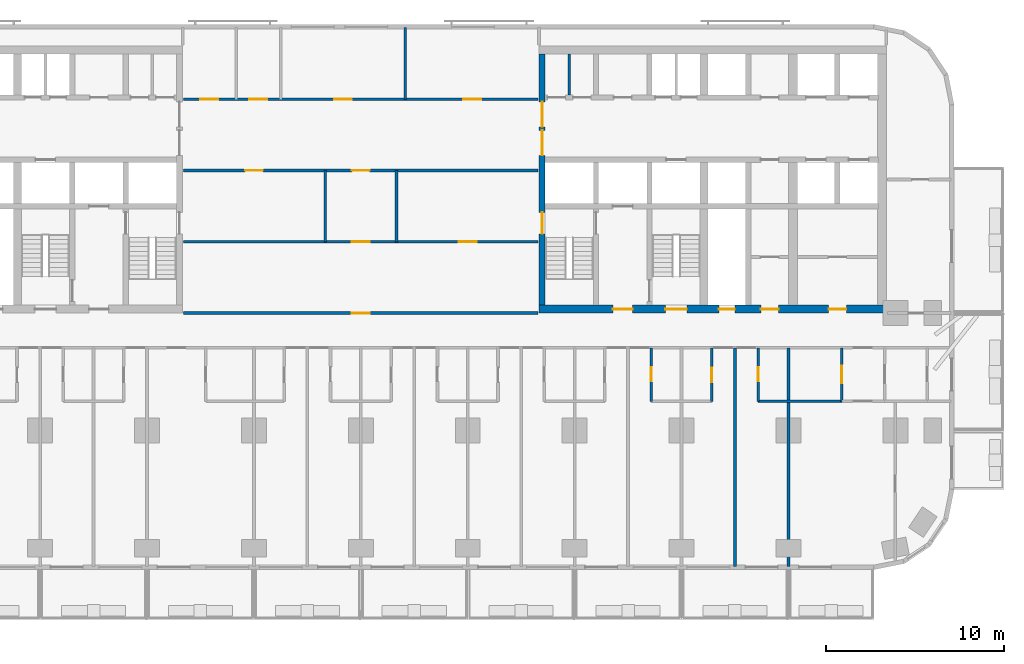
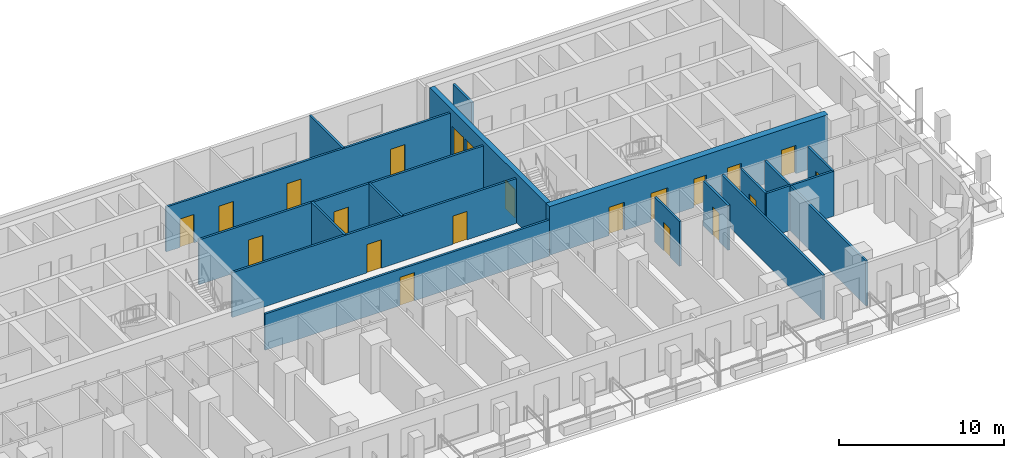
# One storey, part 7 of 15: 21 doors, 17 walls, 21 openings.
"""IFC4 building model written with IfcOpenShell, lengths in metres."""

from ifc_helpers import new_model, si_unit, direction, frame, frame_2d, origin, place, context, subcontext, project, spatial, rectangle, extrude, material, layer, layer_set, type_object, element, fill, save


model = new_model("IFC4")

# Units and contexts
model_context = context("Model", 3, precision=1e-05, world=origin(), true_north=direction((0.0, 1.0)))
body_context = subcontext(model_context, "Body", "Model", "MODEL_VIEW")
ifc_project = project(units=[si_unit("LENGTHUNIT", "METRE"), si_unit("AREAUNIT", "SQUARE_METRE"), si_unit("VOLUMEUNIT", "CUBIC_METRE"), si_unit("PLANEANGLEUNIT", "RADIAN"), si_unit("MASSUNIT", "GRAM", prefix="KILO")], contexts=[model_context])

# Site, building, storey
site_placement = place(None, origin())
site = spatial("IfcSite", under=ifc_project, at=site_placement, CompositionType="ELEMENT")
building_placement = place(site_placement, origin())
building = spatial("IfcBuilding", under=site, at=building_placement, Name="Torana Hotel and Residences", CompositionType="ELEMENT")
storey_placement = place(building_placement, frame((0.0, 0.0, 24.0)))
storey = spatial("IfcBuildingStorey", under=building, at=storey_placement, Name="L04", CompositionType="ELEMENT", Elevation=24.0)

# Wall, openings, doors
ifc_material_1 = material(Name="Concrete C80/95", Category="concrete")
ifc_layer_1 = layer(ifc_material_1, 0.35009765625)
ifc_layer_set_1 = layer_set([ifc_layer_1], Name="CORE WALL 350 C80/95")
wall_type_1 = type_object("IfcWallType", Name="CORE WALL 350 C80/95", PredefinedType="SHEAR", material=ifc_layer_set_1)
wall_1_placement = place(storey_placement, frame((10.175048828125, -14.550048828125, 0.0), z_axis=(0.0, 0.0, 1.0), x_axis=(0.0, 1.0, 0.0)))
wall_1 = element("IfcWall", 1, at=wall_1_placement, inside=storey, type_object=wall_type_1, Name="Core wall E arch", PredefinedType="SHEAR", context=body_context, shape_type="SweptSolid", body=[
    extrude(rectangle(XDim=14.10009765625, YDim=0.35009765625, at=frame_2d((7.050048828125, 0.0))), origin(), (0.0, 0.0, 1.0), 3.60009765625),
])
opening_1_placement = place(wall_1_placement, frame((8.39990234375, 0.0, 0.0)))
opening_1 = element("IfcOpeningElement", 2, at=opening_1_placement, cuts=wall_1, Name="Opening L04-18", PredefinedType="OPENING", context=body_context, shape_type="SweptSolid", body=[
    extrude(rectangle(XDim=1.39990234375, YDim=2.39990234375, at=frame_2d((0.699951171875, 1.199951171875))), frame((0.0, 0.18505859375, 0.0), z_axis=(0.0, -1.0, 0.0), x_axis=(1.0, 0.0, 0.0)), (0.0, 0.0, 1.0), 0.3701171875),
])
opening_2_placement = place(wall_1_placement, frame((10.0, 0.0, 0.0)))
opening_2 = element("IfcOpeningElement", 3, at=opening_2_placement, cuts=wall_1, Name="Opening L04-19", PredefinedType="OPENING", context=body_context, shape_type="SweptSolid", body=[
    extrude(rectangle(XDim=1.39990234375, YDim=2.39990234375, at=frame_2d((0.699951171875, 1.199951171875))), frame((0.0, 0.18505859375, 0.0), z_axis=(0.0, -1.0, 0.0), x_axis=(1.0, 0.0, 0.0)), (0.0, 0.0, 1.0), 0.3701171875),
])
opening_3_placement = place(wall_1_placement, frame((4.0, 0.0, 0.0)))
opening_3 = element("IfcOpeningElement", 4, at=opening_3_placement, cuts=wall_1, Name="Opening L04-20", PredefinedType="OPENING", context=body_context, shape_type="SweptSolid", body=[
    extrude(rectangle(XDim=1.199951171875, YDim=2.10009765625, at=frame_2d((0.60009765625, 1.050048828125))), frame((0.0, 0.18505859375, 0.0), z_axis=(0.0, -1.0, 0.0), x_axis=(1.0, 0.0, 0.0)), (0.0, 0.0, 1.0), 0.3701171875),
])
ifc_material_2 = material(Name="Steel S235", Category="steel")
door_type_1 = type_object("IfcDoorType", Name="LOBBY FIRE DOOR D4 1400x2400", OperationType="DOUBLE_DOOR_SINGLE_SWING", PredefinedType="DOOR", material=ifc_material_2)
door_1_placement = place(opening_1_placement, origin())
door_1 = element("IfcDoor", 5, at=door_1_placement, inside=storey, type_object=door_type_1, Name="Lobby-1 door L04", OperationType="DOUBLE_DOOR_SINGLE_SWING", OverallHeight=2.39990234375, OverallWidth=1.39990234375, PredefinedType="DOOR", context=body_context, shape_type="SweptSolid", body=[
    extrude(rectangle(XDim=1.39990234375, YDim=2.39990234375, at=frame_2d((0.699951171875, 1.199951171875))), frame((0.0, 0.02490234375, 0.0), z_axis=(0.0, -1.0, 0.0), x_axis=(1.0, 0.0, 0.0)), (0.0, 0.0, 1.0), 0.050048828125),
])
fill(opening_1, door_1)
door_2_placement = place(opening_2_placement, origin())
door_2 = element("IfcDoor", 6, at=door_2_placement, inside=storey, type_object=door_type_1, Name="Lobby-2 door L04", OperationType="DOUBLE_DOOR_SINGLE_SWING", OverallHeight=2.39990234375, OverallWidth=1.39990234375, PredefinedType="DOOR", context=body_context, shape_type="SweptSolid", body=[
    extrude(rectangle(XDim=1.39990234375, YDim=2.39990234375, at=frame_2d((0.699951171875, 1.199951171875))), frame((0.0, 0.02490234375, 0.0), z_axis=(0.0, -1.0, 0.0), x_axis=(1.0, 0.0, 0.0)), (0.0, 0.0, 1.0), 0.050048828125),
])
fill(opening_2, door_2)
ifc_material_3 = material(Name="Steel S235", Category="steel")
door_type_2 = type_object("IfcDoorType", Name="STAIR FIRE DOOR D3 1200x2100", OperationType="SINGLE_SWING_LEFT", PredefinedType="DOOR", material=ifc_material_3)
door_3_placement = place(opening_3_placement, frame((0.60009765625, 0.0, 0.0), z_axis=(0.0, 0.0, 1.0), x_axis=(-1.0, 0.0, 0.0)))
door_3 = element("IfcDoor", 7, at=door_3_placement, inside=storey, type_object=door_type_2, Name="Stair-A door L04", OperationType="SINGLE_SWING_RIGHT", OverallHeight=2.10009765625, OverallWidth=1.199951171875, PredefinedType="DOOR", context=body_context, shape_type="SweptSolid", body=[
    extrude(rectangle(XDim=1.199951171875, YDim=2.10009765625, at=frame_2d((0.0, 1.050048828125))), frame((0.0, -0.02490234375, 0.0), z_axis=(0.0, 1.0, 0.0), x_axis=(-1.0, 0.0, 0.0)), (0.0, 0.0, 1.0), 0.050048828125),
])
fill(opening_3, door_3)

ifc_material_4 = material(Name="Concrete C80/95", Category="concrete")
ifc_layer_2 = layer(ifc_material_4, 0.449951171875)
ifc_layer_set_2 = layer_set([ifc_layer_2], Name="CORE WALL 450 C80/95")
wall_type_2 = type_object("IfcWallType", Name="CORE WALL 450 C80/95", PredefinedType="SHEAR", material=ifc_layer_set_2)
wall_2_placement = place(storey_placement, frame((10.0, -14.77490234375, 0.0), z_axis=(0.0, 0.0, 1.0), x_axis=(1.0, 0.0, 0.0)))
wall_2 = element("IfcWall", 8, at=wall_2_placement, inside=storey, type_object=wall_type_2, Name="Core wall E front", PredefinedType="SHEAR", context=body_context, shape_type="SweptSolid", body=[
    extrude(rectangle(XDim=19.5, YDim=0.449951171875, at=frame_2d((9.75, 0.0))), origin(), (0.0, 0.0, 1.0), 3.60009765625),
])
opening_4_placement = place(wall_2_placement, frame((7.10009765625, 0.0, 0.0)))
opening_4 = element("IfcOpeningElement", 9, at=opening_4_placement, cuts=wall_2, Name="Opening L04-21", PredefinedType="OPENING", context=body_context, shape_type="SweptSolid", body=[
    extrude(rectangle(XDim=1.199951171875, YDim=2.10009765625, at=frame_2d((0.60009765625, 1.050048828125))), frame((0.0, 0.23486328125, 0.0), z_axis=(0.0, -1.0, 0.0), x_axis=(1.0, 0.0, 0.0)), (0.0, 0.0, 1.0), 0.469970703125),
])
opening_5_placement = place(wall_2_placement, frame((4.14990234375, 0.0, 0.0)))
opening_5 = element("IfcOpeningElement", 10, at=opening_5_placement, cuts=wall_2, Name="Opening L04-22", PredefinedType="OPENING", context=body_context, shape_type="SweptSolid", body=[
    extrude(rectangle(XDim=1.10009765625, YDim=2.10009765625, at=frame_2d((0.550048828125, 1.050048828125))), frame((0.0, 0.23486328125, 0.0), z_axis=(0.0, -1.0, 0.0), x_axis=(1.0, 0.0, 0.0)), (0.0, 0.0, 1.0), 0.469970703125),
])
opening_6_placement = place(wall_2_placement, frame((10.10009765625, 0.0, 0.0)))
opening_6 = element("IfcOpeningElement", 11, at=opening_6_placement, cuts=wall_2, Name="Opening L04-23", PredefinedType="OPENING", context=body_context, shape_type="SweptSolid", body=[
    extrude(rectangle(XDim=0.89990234375, YDim=2.10009765625, at=frame_2d((0.449951171875, 1.050048828125))), frame((0.0, 0.23486328125, 0.0), z_axis=(0.0, -1.0, 0.0), x_axis=(1.0, 0.0, 0.0)), (0.0, 0.0, 1.0), 0.469970703125),
])
opening_7_placement = place(wall_2_placement, frame((12.449951171875, 0.0, 0.0)))
opening_7 = element("IfcOpeningElement", 12, at=opening_7_placement, cuts=wall_2, Name="Opening L04-24", PredefinedType="OPENING", context=body_context, shape_type="SweptSolid", body=[
    extrude(rectangle(XDim=1.0, YDim=2.10009765625, at=frame_2d((0.5, 1.050048828125))), frame((0.0, 0.23486328125, 0.0), z_axis=(0.0, -1.0, 0.0), x_axis=(1.0, 0.0, 0.0)), (0.0, 0.0, 1.0), 0.469970703125),
])
opening_8_placement = place(wall_2_placement, frame((16.25, 0.0, 0.0)))
opening_8 = element("IfcOpeningElement", 13, at=opening_8_placement, cuts=wall_2, Name="Opening L04-25", PredefinedType="OPENING", context=body_context, shape_type="SweptSolid", body=[
    extrude(rectangle(XDim=1.0, YDim=2.10009765625, at=frame_2d((0.5, 1.050048828125))), frame((0.0, 0.23486328125, 0.0), z_axis=(0.0, -1.0, 0.0), x_axis=(1.0, 0.0, 0.0)), (0.0, 0.0, 1.0), 0.469970703125),
])
ifc_material_5 = material(Name="Steel S235", Category="steel")
door_type_3 = type_object("IfcDoorType", Name="CORE ROOM FIRE DOOR D14 1000x2100", OperationType="SINGLE_SWING_LEFT", PredefinedType="DOOR", material=ifc_material_5)
door_4_placement = place(opening_7_placement, origin())
door_4 = element("IfcDoor", 14, at=door_4_placement, inside=storey, type_object=door_type_3, Name="M-Room-B door L04", OperationType="SINGLE_SWING_RIGHT", OverallHeight=2.10009765625, OverallWidth=1.0, PredefinedType="DOOR", context=body_context, shape_type="SweptSolid", body=[
    extrude(rectangle(XDim=1.0, YDim=2.10009765625, at=frame_2d((0.5, 1.050048828125))), frame((0.0, 0.02490234375, 0.0), z_axis=(0.0, -1.0, 0.0), x_axis=(1.0, 0.0, 0.0)), (0.0, 0.0, 1.0), 0.050048828125),
])
fill(opening_7, door_4)
door_5_placement = place(opening_8_placement, origin())
door_5 = element("IfcDoor", 15, at=door_5_placement, inside=storey, type_object=door_type_3, Name="L-B door L04", OperationType="SINGLE_SWING_RIGHT", OverallHeight=2.10009765625, OverallWidth=1.0, PredefinedType="DOOR", context=body_context, shape_type="SweptSolid", body=[
    extrude(rectangle(XDim=1.0, YDim=2.10009765625, at=frame_2d((0.5, 1.050048828125))), frame((0.0, 0.02490234375, 0.0), z_axis=(0.0, -1.0, 0.0), x_axis=(1.0, 0.0, 0.0)), (0.0, 0.0, 1.0), 0.050048828125),
])
fill(opening_8, door_5)
ifc_material_6 = material(Name="Steel S235", Category="steel")
door_type_4 = type_object("IfcDoorType", Name="FIRE-FIGHTING LOBBY DOOR D8 1100x2100", OperationType="SINGLE_SWING_LEFT", PredefinedType="DOOR", material=ifc_material_6)
door_6_placement = place(opening_5_placement, origin())
door_6 = element("IfcDoor", 16, at=door_6_placement, inside=storey, type_object=door_type_4, Name="FF-lobby door L04", OperationType="SINGLE_SWING_RIGHT", OverallHeight=2.10009765625, OverallWidth=1.10009765625, PredefinedType="DOOR", context=body_context, shape_type="SweptSolid", body=[
    extrude(rectangle(XDim=1.10009765625, YDim=2.10009765625, at=frame_2d((0.550048828125, 1.050048828125))), frame((0.0, 0.02490234375, 0.0), z_axis=(0.0, -1.0, 0.0), x_axis=(1.0, 0.0, 0.0)), (0.0, 0.0, 1.0), 0.050048828125),
])
fill(opening_5, door_6)
ifc_material_7 = material(Name="Steel S235", Category="steel")
door_type_5 = type_object("IfcDoorType", Name="RISER ACCESS DOOR D5 900x2100", OperationType="SINGLE_SWING_LEFT", PredefinedType="DOOR", material=ifc_material_7)
door_7_placement = place(opening_6_placement, origin())
door_7 = element("IfcDoor", 17, at=door_7_placement, inside=storey, type_object=door_type_5, Name="M-Riser door L04", OperationType="SINGLE_SWING_RIGHT", OverallHeight=2.10009765625, OverallWidth=0.89990234375, PredefinedType="DOOR", context=body_context, shape_type="SweptSolid", body=[
    extrude(rectangle(XDim=0.89990234375, YDim=2.10009765625, at=frame_2d((0.449951171875, 1.050048828125))), frame((0.0, 0.02490234375, 0.0), z_axis=(0.0, -1.0, 0.0), x_axis=(1.0, 0.0, 0.0)), (0.0, 0.0, 1.0), 0.050048828125),
])
fill(opening_6, door_7)
door_8_placement = place(opening_4_placement, origin())
door_8 = element("IfcDoor", 18, at=door_8_placement, inside=storey, type_object=door_type_2, Name="Stair-B door L04", OperationType="SINGLE_SWING_RIGHT", OverallHeight=2.10009765625, OverallWidth=1.199951171875, PredefinedType="DOOR", context=body_context, shape_type="SweptSolid", body=[
    extrude(rectangle(XDim=1.199951171875, YDim=2.10009765625, at=frame_2d((0.60009765625, 1.050048828125))), frame((0.0, 0.02490234375, 0.0), z_axis=(0.0, -1.0, 0.0), x_axis=(1.0, 0.0, 0.0)), (0.0, 0.0, 1.0), 0.050048828125),
])
fill(opening_4, door_8)

# Wall
ifc_material_8 = material(Name="Gypsum plaster")
ifc_layer_3 = layer(ifc_material_8, 0.014892578125, Name="Plaster", Category="finish")
ifc_material_9 = material(Name="Concrete blockwork", Category="masonry")
ifc_layer_4 = layer(ifc_material_9, 0.1201171875, Name="Blockwork", Category="structure")
ifc_layer_5 = layer(ifc_material_8, 0.014892578125, Name="Plaster", Category="finish")
ifc_layer_set_3 = layer_set([ifc_layer_3, ifc_layer_4, ifc_layer_5], Name="FIRE PARTITION 150 BLOCKWORK")
wall_type_3 = type_object("IfcWallType", Name="FIRE PARTITION 150 BLOCKWORK", PredefinedType="PARTITIONING", material=ifc_layer_set_3)
wall_3_placement = place(storey_placement, frame((11.699951171875, -2.75, 0.0), z_axis=(0.0, 0.0, 1.0), x_axis=(0.0, 1.0, 0.0)))
element("IfcWall", 19, at=wall_3_placement, inside=storey, type_object=wall_type_3, Name="Core partition L04", PredefinedType="PARTITIONING", context=body_context, shape_type="SweptSolid", body=[
    extrude(rectangle(XDim=2.300048828125, YDim=0.14990234375, at=frame_2d((1.14990234375, 0.0))), origin(), (0.0, 0.0, 1.0), 3.300048828125),
])

# Wall, opening, door
wall_4_placement = place(storey_placement, frame((27.0, -19.949951171875, 0.0), z_axis=(0.0, 0.0, 1.0), x_axis=(0.0, 1.0, 0.0)))
wall_4 = element("IfcWall", 20, at=wall_4_placement, inside=storey, type_object=wall_type_3, Name="Partition L04", PredefinedType="PARTITIONING", context=body_context, shape_type="SweptSolid", body=[
    extrude(rectangle(XDim=3.0, YDim=0.14990234375, at=frame_2d((1.5, 0.0))), origin(), (0.0, 0.0, 1.0), 3.320068359375),
])
opening_9_placement = place(wall_4_placement, frame((1.0, 0.0, 0.0)))
opening_9 = element("IfcOpeningElement", 21, at=opening_9_placement, cuts=wall_4, Name="Opening L04-87", PredefinedType="OPENING", context=body_context, shape_type="SweptSolid", body=[
    extrude(rectangle(XDim=1.0, YDim=2.10009765625, at=frame_2d((0.5, 1.050048828125))), frame((0.0, 0.0849609375, 0.0), z_axis=(0.0, -1.0, 0.0), x_axis=(1.0, 0.0, 0.0)), (0.0, 0.0, 1.0), 0.169921875),
])
ifc_material_10 = material(Name="Steel S235", Category="steel")
door_type_6 = type_object("IfcDoorType", Name="ENTRY FIRE DOOR D6 1000x2100", OperationType="SINGLE_SWING_LEFT", PredefinedType="DOOR", material=ifc_material_10)
door_9_placement = place(opening_9_placement, origin())
door_9 = element("IfcDoor", 22, at=door_9_placement, inside=storey, type_object=door_type_6, Name="Door L04", OperationType="SINGLE_SWING_RIGHT", OverallHeight=2.10009765625, OverallWidth=1.0, PredefinedType="DOOR", context=body_context, shape_type="SweptSolid", body=[
    extrude(rectangle(XDim=1.0, YDim=2.10009765625, at=frame_2d((0.5, 1.050048828125))), frame((0.0, 0.02490234375, 0.0), z_axis=(0.0, -1.0, 0.0), x_axis=(1.0, 0.0, 0.0)), (0.0, 0.0, 1.0), 0.050048828125),
])
fill(opening_9, door_9)

# Walls
for number, where, z_axis, x_axis, name in (
    (23, (2.0, -11.0, 0.0), (0.0, 0.0, 1.0), (0.0, 1.0, 0.0), "Partition L04"),
    (24, (-2.0, -11.0, 0.0), (0.0, 0.0, 1.0), (0.0, 1.0, 0.0), "Partition L04"),
):
    element("IfcWall", number, at=place(storey_placement, frame(where, z_axis=z_axis, x_axis=x_axis)), inside=storey, type_object=wall_type_3, Name=name, PredefinedType="PARTITIONING", context=body_context, shape_type="SweptSolid", body=[
        extrude(rectangle(XDim=4.0, YDim=0.14990234375, at=frame_2d((2.0, 0.0))), origin(), (0.0, 0.0, 1.0), 3.320068359375),
    ])

# Wall, opening, door
wall_5_placement = place(storey_placement, frame((-9.949951171875, -15.0, 0.0), z_axis=(0.0, 0.0, 1.0), x_axis=(1.0, 0.0, 0.0)))
wall_5 = element("IfcWall", 25, at=wall_5_placement, inside=storey, type_object=wall_type_3, Name="Partition L04", PredefinedType="PARTITIONING", context=body_context, shape_type="SweptSolid", body=[
    extrude(rectangle(XDim=19.89990234375, YDim=0.14990234375, at=frame_2d((9.949951171875, 0.0))), origin(), (0.0, 0.0, 1.0), 2.68408203125),
])
opening_10_placement = place(wall_5_placement, frame((9.449951171875, 0.0, 0.0)))
opening_10 = element("IfcOpeningElement", 26, at=opening_10_placement, cuts=wall_5, Name="Opening L04-39", PredefinedType="OPENING", context=body_context, shape_type="SweptSolid", body=[
    extrude(rectangle(XDim=1.0, YDim=2.10009765625, at=frame_2d((0.5, 1.050048828125))), frame((0.0, 0.0849609375, 0.0), z_axis=(0.0, -1.0, 0.0), x_axis=(1.0, 0.0, 0.0)), (0.0, 0.0, 1.0), 0.169921875),
])
door_10_placement = place(opening_10_placement, origin())
door_10 = element("IfcDoor", 27, at=door_10_placement, inside=storey, type_object=door_type_6, Name="Door L04", OperationType="SINGLE_SWING_RIGHT", OverallHeight=2.10009765625, OverallWidth=1.0, PredefinedType="DOOR", context=body_context, shape_type="SweptSolid", body=[
    extrude(rectangle(XDim=1.0, YDim=2.10009765625, at=frame_2d((0.5, 1.050048828125))), frame((0.0, 0.02490234375, 0.0), z_axis=(0.0, -1.0, 0.0), x_axis=(1.0, 0.0, 0.0)), (0.0, 0.0, 1.0), 0.050048828125),
])
fill(opening_10, door_10)

# Wall, openings, doors
wall_6_placement = place(storey_placement, frame((-9.949951171875, -11.0, 0.0), z_axis=(0.0, 0.0, 1.0), x_axis=(1.0, 0.0, 0.0)))
wall_6 = element("IfcWall", 28, at=wall_6_placement, inside=storey, type_object=wall_type_3, Name="Partition L04", PredefinedType="PARTITIONING", context=body_context, shape_type="SweptSolid", body=[
    extrude(rectangle(XDim=19.89990234375, YDim=0.14990234375, at=frame_2d((9.949951171875, 0.0))), origin(), (0.0, 0.0, 1.0), 3.320068359375),
])
opening_11_placement = place(wall_6_placement, frame((9.449951171875, 0.0, 0.0)))
opening_11 = element("IfcOpeningElement", 29, at=opening_11_placement, cuts=wall_6, Name="Opening L04-59", PredefinedType="OPENING", context=body_context, shape_type="SweptSolid", body=[
    extrude(rectangle(XDim=1.0, YDim=2.10009765625, at=frame_2d((0.5, 1.050048828125))), frame((0.0, 0.0849609375, 0.0), z_axis=(0.0, -1.0, 0.0), x_axis=(1.0, 0.0, 0.0)), (0.0, 0.0, 1.0), 0.169921875),
])
opening_12_placement = place(wall_6_placement, frame((15.449951171875, 0.0, 0.0)))
opening_12 = element("IfcOpeningElement", 30, at=opening_12_placement, cuts=wall_6, Name="Opening L04-60", PredefinedType="OPENING", context=body_context, shape_type="SweptSolid", body=[
    extrude(rectangle(XDim=1.0, YDim=2.10009765625, at=frame_2d((0.5, 1.050048828125))), frame((0.0, 0.0849609375, 0.0), z_axis=(0.0, -1.0, 0.0), x_axis=(1.0, 0.0, 0.0)), (0.0, 0.0, 1.0), 0.169921875),
])
door_11_placement = place(opening_11_placement, origin())
door_11 = element("IfcDoor", 31, at=door_11_placement, inside=storey, type_object=door_type_6, Name="Door L04", OperationType="SINGLE_SWING_RIGHT", OverallHeight=2.10009765625, OverallWidth=1.0, PredefinedType="DOOR", context=body_context, shape_type="SweptSolid", body=[
    extrude(rectangle(XDim=1.0, YDim=2.10009765625, at=frame_2d((0.5, 1.050048828125))), frame((0.0, 0.02490234375, 0.0), z_axis=(0.0, -1.0, 0.0), x_axis=(1.0, 0.0, 0.0)), (0.0, 0.0, 1.0), 0.050048828125),
])
fill(opening_11, door_11)
door_12_placement = place(opening_12_placement, origin())
door_12 = element("IfcDoor", 32, at=door_12_placement, inside=storey, type_object=door_type_6, Name="Door L04", OperationType="SINGLE_SWING_RIGHT", OverallHeight=2.10009765625, OverallWidth=1.0, PredefinedType="DOOR", context=body_context, shape_type="SweptSolid", body=[
    extrude(rectangle(XDim=1.0, YDim=2.10009765625, at=frame_2d((0.5, 1.050048828125))), frame((0.0, 0.02490234375, 0.0), z_axis=(0.0, -1.0, 0.0), x_axis=(1.0, 0.0, 0.0)), (0.0, 0.0, 1.0), 0.050048828125),
])
fill(opening_12, door_12)

wall_7_placement = place(storey_placement, frame((-9.949951171875, -7.0, 0.0), z_axis=(0.0, 0.0, 1.0), x_axis=(1.0, 0.0, 0.0)))
wall_7 = element("IfcWall", 33, at=wall_7_placement, inside=storey, type_object=wall_type_3, Name="Partition L04", PredefinedType="PARTITIONING", context=body_context, shape_type="SweptSolid", body=[
    extrude(rectangle(XDim=19.89990234375, YDim=0.14990234375, at=frame_2d((9.949951171875, 0.0))), origin(), (0.0, 0.0, 1.0), 3.320068359375),
])
opening_13_placement = place(wall_7_placement, frame((9.449951171875, 0.0, 0.0)))
opening_13 = element("IfcOpeningElement", 34, at=opening_13_placement, cuts=wall_7, Name="Opening L04-61", PredefinedType="OPENING", context=body_context, shape_type="SweptSolid", body=[
    extrude(rectangle(XDim=1.0, YDim=2.10009765625, at=frame_2d((0.5, 1.050048828125))), frame((0.0, 0.0849609375, 0.0), z_axis=(0.0, -1.0, 0.0), x_axis=(1.0, 0.0, 0.0)), (0.0, 0.0, 1.0), 0.169921875),
])
opening_14_placement = place(wall_7_placement, frame((3.449951171875, 0.0, 0.0)))
opening_14 = element("IfcOpeningElement", 35, at=opening_14_placement, cuts=wall_7, Name="Opening L04-62", PredefinedType="OPENING", context=body_context, shape_type="SweptSolid", body=[
    extrude(rectangle(XDim=1.0, YDim=2.10009765625, at=frame_2d((0.5, 1.050048828125))), frame((0.0, 0.0849609375, 0.0), z_axis=(0.0, -1.0, 0.0), x_axis=(1.0, 0.0, 0.0)), (0.0, 0.0, 1.0), 0.169921875),
])
door_13_placement = place(opening_13_placement, origin())
door_13 = element("IfcDoor", 36, at=door_13_placement, inside=storey, type_object=door_type_6, Name="Door L04", OperationType="SINGLE_SWING_RIGHT", OverallHeight=2.10009765625, OverallWidth=1.0, PredefinedType="DOOR", context=body_context, shape_type="SweptSolid", body=[
    extrude(rectangle(XDim=1.0, YDim=2.10009765625, at=frame_2d((0.5, 1.050048828125))), frame((0.0, 0.02490234375, 0.0), z_axis=(0.0, -1.0, 0.0), x_axis=(1.0, 0.0, 0.0)), (0.0, 0.0, 1.0), 0.050048828125),
])
fill(opening_13, door_13)
door_14_placement = place(opening_14_placement, frame((0.5, 0.0, 0.0), z_axis=(0.0, 0.0, 1.0), x_axis=(-1.0, 0.0, 0.0)))
door_14 = element("IfcDoor", 37, at=door_14_placement, inside=storey, type_object=door_type_6, Name="Door L04", OperationType="SINGLE_SWING_LEFT", OverallHeight=2.10009765625, OverallWidth=1.0, PredefinedType="DOOR", context=body_context, shape_type="SweptSolid", body=[
    extrude(rectangle(XDim=1.0, YDim=2.10009765625, at=frame_2d((0.0, 1.050048828125))), frame((0.0, -0.02490234375, 0.0), z_axis=(0.0, 1.0, 0.0), x_axis=(-1.0, 0.0, 0.0)), (0.0, 0.0, 1.0), 0.050048828125),
])
fill(opening_14, door_14)

wall_8_placement = place(storey_placement, frame((-9.949951171875, -3.0, 0.0), z_axis=(0.0, 0.0, 1.0), x_axis=(1.0, 0.0, 0.0)))
wall_8 = element("IfcWall", 38, at=wall_8_placement, inside=storey, type_object=wall_type_3, Name="Partition L04", PredefinedType="PARTITIONING", context=body_context, shape_type="SweptSolid", body=[
    extrude(rectangle(XDim=19.89990234375, YDim=0.14990234375, at=frame_2d((9.949951171875, 0.0))), origin(), (0.0, 0.0, 1.0), 3.320068359375),
])
opening_15_placement = place(wall_8_placement, frame((0.949951171875, 0.0, 0.0)))
opening_15 = element("IfcOpeningElement", 39, at=opening_15_placement, cuts=wall_8, Name="Opening L04-63", PredefinedType="OPENING", context=body_context, shape_type="SweptSolid", body=[
    extrude(rectangle(XDim=1.0, YDim=2.10009765625, at=frame_2d((0.5, 1.050048828125))), frame((0.0, 0.0849609375, 0.0), z_axis=(0.0, -1.0, 0.0), x_axis=(1.0, 0.0, 0.0)), (0.0, 0.0, 1.0), 0.169921875),
])
opening_16_placement = place(wall_8_placement, frame((3.699951171875, 0.0, 0.0)))
opening_16 = element("IfcOpeningElement", 40, at=opening_16_placement, cuts=wall_8, Name="Opening L04-64", PredefinedType="OPENING", context=body_context, shape_type="SweptSolid", body=[
    extrude(rectangle(XDim=1.0, YDim=2.10009765625, at=frame_2d((0.5, 1.050048828125))), frame((0.0, 0.0849609375, 0.0), z_axis=(0.0, -1.0, 0.0), x_axis=(1.0, 0.0, 0.0)), (0.0, 0.0, 1.0), 0.169921875),
])
opening_17_placement = place(wall_8_placement, frame((8.449951171875, 0.0, 0.0)))
opening_17 = element("IfcOpeningElement", 41, at=opening_17_placement, cuts=wall_8, Name="Opening L04-65", PredefinedType="OPENING", context=body_context, shape_type="SweptSolid", body=[
    extrude(rectangle(XDim=1.0, YDim=2.10009765625, at=frame_2d((0.5, 1.050048828125))), frame((0.0, 0.0849609375, 0.0), z_axis=(0.0, -1.0, 0.0), x_axis=(1.0, 0.0, 0.0)), (0.0, 0.0, 1.0), 0.169921875),
])
opening_18_placement = place(wall_8_placement, frame((15.699951171875, 0.0, 0.0)))
opening_18 = element("IfcOpeningElement", 42, at=opening_18_placement, cuts=wall_8, Name="Opening L04-66", PredefinedType="OPENING", context=body_context, shape_type="SweptSolid", body=[
    extrude(rectangle(XDim=1.0, YDim=2.10009765625, at=frame_2d((0.5, 1.050048828125))), frame((0.0, 0.0849609375, 0.0), z_axis=(0.0, -1.0, 0.0), x_axis=(1.0, 0.0, 0.0)), (0.0, 0.0, 1.0), 0.169921875),
])
door_15_placement = place(opening_15_placement, origin())
door_15 = element("IfcDoor", 43, at=door_15_placement, inside=storey, type_object=door_type_6, Name="Door L04", OperationType="SINGLE_SWING_RIGHT", OverallHeight=2.10009765625, OverallWidth=1.0, PredefinedType="DOOR", context=body_context, shape_type="SweptSolid", body=[
    extrude(rectangle(XDim=1.0, YDim=2.10009765625, at=frame_2d((0.5, 1.050048828125))), frame((0.0, 0.02490234375, 0.0), z_axis=(0.0, -1.0, 0.0), x_axis=(1.0, 0.0, 0.0)), (0.0, 0.0, 1.0), 0.050048828125),
])
fill(opening_15, door_15)
door_16_placement = place(opening_16_placement, origin())
door_16 = element("IfcDoor", 44, at=door_16_placement, inside=storey, type_object=door_type_6, Name="Door L04", OperationType="SINGLE_SWING_RIGHT", OverallHeight=2.10009765625, OverallWidth=1.0, PredefinedType="DOOR", context=body_context, shape_type="SweptSolid", body=[
    extrude(rectangle(XDim=1.0, YDim=2.10009765625, at=frame_2d((0.5, 1.050048828125))), frame((0.0, 0.02490234375, 0.0), z_axis=(0.0, -1.0, 0.0), x_axis=(1.0, 0.0, 0.0)), (0.0, 0.0, 1.0), 0.050048828125),
])
fill(opening_16, door_16)
door_17_placement = place(opening_17_placement, origin())
door_17 = element("IfcDoor", 45, at=door_17_placement, inside=storey, type_object=door_type_6, Name="Door L04", OperationType="SINGLE_SWING_RIGHT", OverallHeight=2.10009765625, OverallWidth=1.0, PredefinedType="DOOR", context=body_context, shape_type="SweptSolid", body=[
    extrude(rectangle(XDim=1.0, YDim=2.10009765625, at=frame_2d((0.5, 1.050048828125))), frame((0.0, 0.02490234375, 0.0), z_axis=(0.0, -1.0, 0.0), x_axis=(1.0, 0.0, 0.0)), (0.0, 0.0, 1.0), 0.050048828125),
])
fill(opening_17, door_17)
door_18_placement = place(opening_18_placement, origin())
door_18 = element("IfcDoor", 46, at=door_18_placement, inside=storey, type_object=door_type_6, Name="Door L04", OperationType="SINGLE_SWING_RIGHT", OverallHeight=2.10009765625, OverallWidth=1.0, PredefinedType="DOOR", context=body_context, shape_type="SweptSolid", body=[
    extrude(rectangle(XDim=1.0, YDim=2.10009765625, at=frame_2d((0.5, 1.050048828125))), frame((0.0, 0.02490234375, 0.0), z_axis=(0.0, -1.0, 0.0), x_axis=(1.0, 0.0, 0.0)), (0.0, 0.0, 1.0), 0.050048828125),
])
fill(opening_18, door_18)

# Wall
ifc_material_11 = material(Name="Gypsum plasterboard")
ifc_layer_6 = layer(ifc_material_11, 0.012451171875, Name="Plasterboard", Category="finish")
ifc_layer_7 = layer(ifc_material_11, 0.012451171875, Name="Plasterboard", Category="finish")
ifc_material_12 = material(Name="Steel S280GD", Category="steel")
ifc_layer_8 = layer(ifc_material_12, 0.10009765625, Name="Steel studs with mineral wool", Category="insulation")
ifc_layer_9 = layer(ifc_material_11, 0.012451171875, Name="Plasterboard", Category="finish")
ifc_layer_10 = layer(ifc_material_11, 0.012451171875, Name="Plasterboard", Category="finish")
ifc_layer_set_4 = layer_set([ifc_layer_6, ifc_layer_7, ifc_layer_8, ifc_layer_9, ifc_layer_10], Name="PARTITION 150 PLASTERBOARD")
wall_type_4 = type_object("IfcWallType", Name="PARTITION 150 PLASTERBOARD", PredefinedType="PARTITIONING", material=ifc_layer_set_4)
wall_9_placement = place(storey_placement, frame((24.0, -29.219970703125, 0.0), z_axis=(0.0, 0.0, 1.0), x_axis=(0.0, 1.0, 0.0)))
element("IfcWall", 47, at=wall_9_placement, inside=storey, type_object=wall_type_4, Name="Partition L04", PredefinedType="PARTITIONING", context=body_context, shape_type="SweptSolid", body=[
    extrude(rectangle(XDim=12.27001953125, YDim=0.14990234375, at=frame_2d((6.135009765625, 0.0))), origin(), (0.0, 0.0, 1.0), 3.320068359375),
])

# Wall, opening, door
wall_10_placement = place(storey_placement, frame((22.300048828125, -19.949951171875, 0.0), z_axis=(0.0, 0.0, 1.0), x_axis=(0.0, 1.0, 0.0)))
wall_10 = element("IfcWall", 48, at=wall_10_placement, inside=storey, type_object=wall_type_4, Name="Partition L04", PredefinedType="PARTITIONING", context=body_context, shape_type="SweptSolid", body=[
    extrude(rectangle(XDim=3.0, YDim=0.14990234375, at=frame_2d((1.5, 0.0))), origin(), (0.0, 0.0, 1.0), 3.320068359375),
])
opening_19_placement = place(wall_10_placement, frame((1.1201171875, 0.0, 0.0)))
opening_19 = element("IfcOpeningElement", 49, at=opening_19_placement, cuts=wall_10, Name="Opening L04-81", PredefinedType="OPENING", context=body_context, shape_type="SweptSolid", body=[
    extrude(rectangle(XDim=0.800048828125, YDim=2.10009765625, at=frame_2d((0.39990234375, 1.050048828125))), frame((0.0, 0.0849609375, 0.0), z_axis=(0.0, -1.0, 0.0), x_axis=(1.0, 0.0, 0.0)), (0.0, 0.0, 1.0), 0.169921875),
])
ifc_material_13 = material(Name="Timber door, painted", Category="wood")
door_type_7 = type_object("IfcDoorType", Name="BATH DOOR D13 800x2100", OperationType="SINGLE_SWING_LEFT", PredefinedType="DOOR", material=ifc_material_13)
door_19_placement = place(opening_19_placement, origin())
door_19 = element("IfcDoor", 50, at=door_19_placement, inside=storey, type_object=door_type_7, Name="Door L04", OperationType="SINGLE_SWING_LEFT", OverallHeight=2.10009765625, OverallWidth=0.800048828125, PredefinedType="DOOR", context=body_context, shape_type="SweptSolid", body=[
    extrude(rectangle(XDim=0.800048828125, YDim=2.10009765625, at=frame_2d((0.39990234375, 1.050048828125))), frame((0.0, 0.02490234375, 0.0), z_axis=(0.0, -1.0, 0.0), x_axis=(1.0, 0.0, 0.0)), (0.0, 0.0, 1.0), 0.050048828125),
])
fill(opening_19, door_19)

# Wall
wall_11_placement = place(storey_placement, frame((21.0, -29.219970703125, 0.0), z_axis=(0.0, 0.0, 1.0), x_axis=(0.0, 1.0, 0.0)))
element("IfcWall", 51, at=wall_11_placement, inside=storey, type_object=wall_type_4, Name="Partition L04", PredefinedType="PARTITIONING", context=body_context, shape_type="SweptSolid", body=[
    extrude(rectangle(XDim=12.27001953125, YDim=0.14990234375, at=frame_2d((6.135009765625, 0.0))), origin(), (0.0, 0.0, 1.0), 3.320068359375),
])

# Wall, opening, door
wall_12_placement = place(storey_placement, frame((19.699951171875, -19.949951171875, 0.0), z_axis=(0.0, 0.0, 1.0), x_axis=(0.0, 1.0, 0.0)))
wall_12 = element("IfcWall", 52, at=wall_12_placement, inside=storey, type_object=wall_type_4, Name="Partition L04", PredefinedType="PARTITIONING", context=body_context, shape_type="SweptSolid", body=[
    extrude(rectangle(XDim=3.0, YDim=0.14990234375, at=frame_2d((1.5, 0.0))), origin(), (0.0, 0.0, 1.0), 3.320068359375),
])
opening_20_placement = place(wall_12_placement, frame((1.080078125, 0.0, 0.0)))
opening_20 = element("IfcOpeningElement", 53, at=opening_20_placement, cuts=wall_12, Name="Opening L04-80", PredefinedType="OPENING", context=body_context, shape_type="SweptSolid", body=[
    extrude(rectangle(XDim=0.800048828125, YDim=2.10009765625, at=frame_2d((0.39990234375, 1.050048828125))), frame((0.0, 0.0849609375, 0.0), z_axis=(0.0, -1.0, 0.0), x_axis=(1.0, 0.0, 0.0)), (0.0, 0.0, 1.0), 0.169921875),
])
door_20_placement = place(opening_20_placement, origin())
door_20 = element("IfcDoor", 54, at=door_20_placement, inside=storey, type_object=door_type_7, Name="Door L04", OperationType="SINGLE_SWING_RIGHT", OverallHeight=2.10009765625, OverallWidth=0.800048828125, PredefinedType="DOOR", context=body_context, shape_type="SweptSolid", body=[
    extrude(rectangle(XDim=0.800048828125, YDim=2.10009765625, at=frame_2d((0.39990234375, 1.050048828125))), frame((0.0, 0.02490234375, 0.0), z_axis=(0.0, -1.0, 0.0), x_axis=(1.0, 0.0, 0.0)), (0.0, 0.0, 1.0), 0.050048828125),
])
fill(opening_20, door_20)

wall_13_placement = place(storey_placement, frame((16.300048828125, -19.949951171875, 0.0), z_axis=(0.0, 0.0, 1.0), x_axis=(0.0, 1.0, 0.0)))
wall_13 = element("IfcWall", 55, at=wall_13_placement, inside=storey, type_object=wall_type_4, Name="Partition L04", PredefinedType="PARTITIONING", context=body_context, shape_type="SweptSolid", body=[
    extrude(rectangle(XDim=3.0, YDim=0.14990234375, at=frame_2d((1.5, 0.0))), origin(), (0.0, 0.0, 1.0), 3.320068359375),
])
opening_21_placement = place(wall_13_placement, frame((1.1201171875, 0.0, 0.0)))
opening_21 = element("IfcOpeningElement", 56, at=opening_21_placement, cuts=wall_13, Name="Opening L04-79", PredefinedType="OPENING", context=body_context, shape_type="SweptSolid", body=[
    extrude(rectangle(XDim=0.800048828125, YDim=2.10009765625, at=frame_2d((0.39990234375, 1.050048828125))), frame((0.0, 0.0849609375, 0.0), z_axis=(0.0, -1.0, 0.0), x_axis=(1.0, 0.0, 0.0)), (0.0, 0.0, 1.0), 0.169921875),
])
door_21_placement = place(opening_21_placement, origin())
door_21 = element("IfcDoor", 57, at=door_21_placement, inside=storey, type_object=door_type_7, Name="Door L04", OperationType="SINGLE_SWING_LEFT", OverallHeight=2.10009765625, OverallWidth=0.800048828125, PredefinedType="DOOR", context=body_context, shape_type="SweptSolid", body=[
    extrude(rectangle(XDim=0.800048828125, YDim=2.10009765625, at=frame_2d((0.39990234375, 1.050048828125))), frame((0.0, 0.02490234375, 0.0), z_axis=(0.0, -1.0, 0.0), x_axis=(1.0, 0.0, 0.0)), (0.0, 0.0, 1.0), 0.050048828125),
])
fill(opening_21, door_21)

# Walls
wall_14_placement = place(storey_placement, frame((2.5, -3.0, 0.0), z_axis=(0.0, 0.0, 1.0), x_axis=(0.0, 1.0, 0.0)))
element("IfcWall", 58, at=wall_14_placement, inside=storey, type_object=wall_type_4, Name="Partition L04", PredefinedType="PARTITIONING", context=body_context, shape_type="SweptSolid", body=[
    extrude(rectangle(XDim=4.02001953125, YDim=0.14990234375, at=frame_2d((2.010009765625, 0.0))), origin(), (0.0, 0.0, 1.0), 3.320068359375),
])
wall_15_placement = place(storey_placement, frame((22.300048828125, -19.949951171875, 0.0), z_axis=(0.0, 0.0, 1.0), x_axis=(1.0, 0.0, 0.0)))
element("IfcWall", 59, at=wall_15_placement, inside=storey, type_object=wall_type_4, Name="Partition L04", PredefinedType="PARTITIONING", context=body_context, shape_type="SweptSolid", body=[
    extrude(rectangle(XDim=4.699951171875, YDim=0.14990234375, at=frame_2d((2.35009765625, 0.0))), origin(), (0.0, 0.0, 1.0), 3.320068359375),
])

save(model, "model.ifc")
